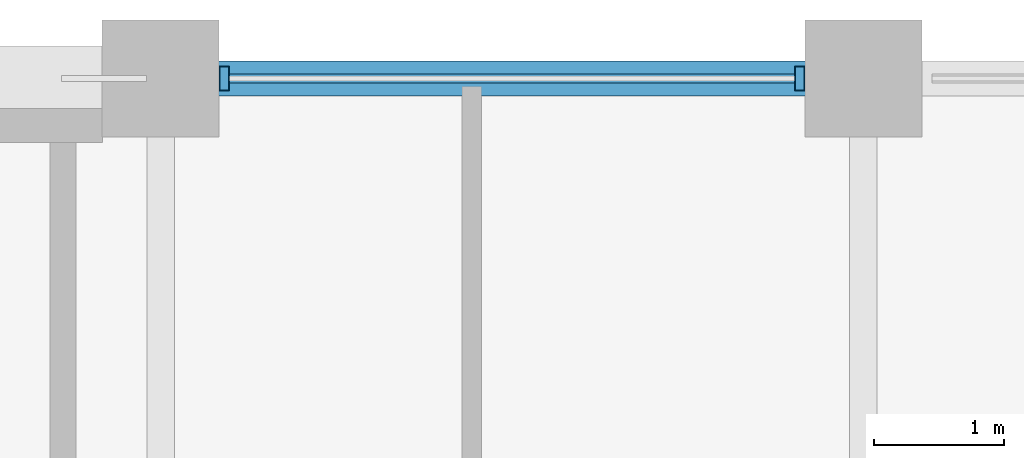
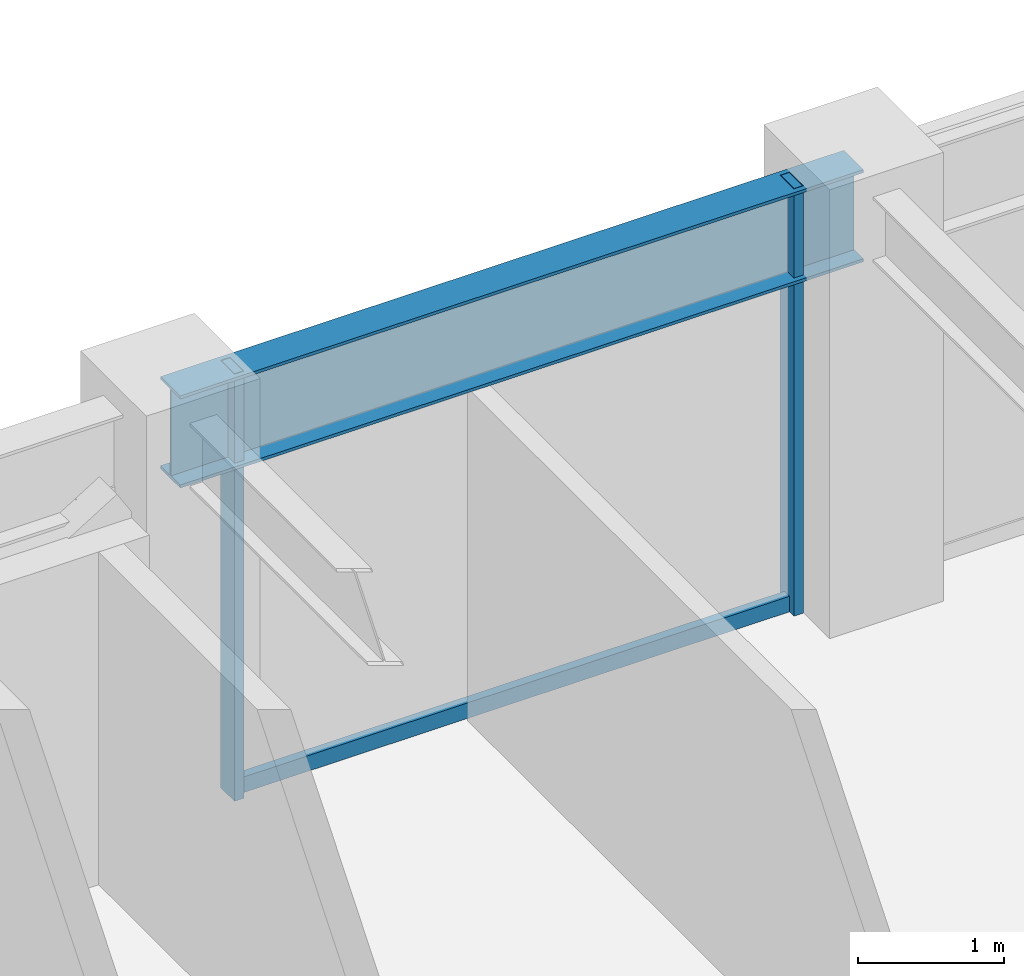
# One storey, part 23 of 32: 3 members, 1 beam, 1 element without a shape of its own.
"""IFC4 building model written with IfcOpenShell, lengths in metres."""

from ifc_helpers import new_model, si_unit, direction, frame, origin, origin_2d, place, context, subcontext, project, spatial, hollow_rectangle, i_section, extrude, material, layer, layer_set, material_profile, profile_set, type_object, element, aggregate, save


model = new_model("IFC4")

# Units and contexts
model_context = context("Model", 3, precision=1e-05, world=origin(), true_north=direction((0.0, 1.0)))
body_context = subcontext(model_context, "Body", "Model", "MODEL_VIEW")
ifc_project = project(units=[si_unit("LENGTHUNIT", "METRE"), si_unit("AREAUNIT", "SQUARE_METRE"), si_unit("VOLUMEUNIT", "CUBIC_METRE"), si_unit("PLANEANGLEUNIT", "RADIAN"), si_unit("MASSUNIT", "GRAM", prefix="KILO")], contexts=[model_context])

# Site, building, storey
site_placement = place(None, origin())
site = spatial("IfcSite", under=ifc_project, at=site_placement, CompositionType="ELEMENT")
building_placement = place(site_placement, origin())
building = spatial("IfcBuilding", under=site, at=building_placement, Name="Surkhivell Harbour Commons", CompositionType="ELEMENT")
storey_placement = place(building_placement, frame((0.0, 0.0, 197.25)))
storey = spatial("IfcBuildingStorey", under=building, at=storey_placement, Name="L51", CompositionType="ELEMENT", Elevation=197.25)

# Beam
ifc_material_1 = material(Name="Steel S355", Category="steel")
ifc_material_profile_1 = material_profile(ifc_material_1, i_section(OverallWidth=0.26806640625, OverallDepth=0.77001953125, WebThickness=0.015625, FlangeThickness=0.025390625, at=origin_2d()), Name="UB762x267x197")
ifc_profile_set_1 = profile_set([ifc_material_profile_1], Name="Steel S355")
beam_type = type_object("IfcBeamType", Name="BM-SPN-762", PredefinedType="SPANDREL", material=ifc_profile_set_1)
beam_placement = place(storey_placement, frame((5.39990234375, 25.89990234375, 3.18505859375), z_axis=(1.0, 0.0, 0.0), x_axis=(0.0, 1.0, 0.0)))
element("IfcBeam", 1, at=beam_placement, inside=storey, type_object=beam_type, Name="L51 Tube Spandrel (5.4,25.9)", PredefinedType="SPANDREL", context=body_context, shape_type="SweptSolid", body=[
    extrude(i_section(OverallWidth=0.26806640625, OverallDepth=0.77001953125, WebThickness=0.015625, FlangeThickness=0.025390625, at=origin_2d()), origin(), (0.0, 0.0, 1.0), 5.400146484375),
])

# Curtain wall, members
ifc_material_2 = material(Name="Anodised pale-metal aluminium and insulated glazing", Category="aluminium")
ifc_layer = layer(ifc_material_2, 0.18994140625)
ifc_layer_set = layer_set([ifc_layer], Name="Anodised pale-metal aluminium and insulated glazing")
curtain_wall_type = type_object("IfcCurtainWallType", Name="CW-SYS-Z3", PredefinedType="NOTDEFINED", material=ifc_layer_set)
curtain_wall_placement = place(storey_placement, origin())
curtain_wall = element("IfcCurtainWall", 2, at=curtain_wall_placement, inside=storey, type_object=curtain_wall_type, Name="L51 Curtain Wall CW-L51-E07S1", PredefinedType="NOTDEFINED")
ifc_material_3 = material(Name="Anodised pale-metal aluminium alloy 6063-T6", Category="aluminium")
ifc_material_profile_2 = material_profile(ifc_material_3, hollow_rectangle(XDim=0.074951171875, YDim=0.18994140625, WallThickness=0.00390625, at=origin_2d()), Name="ALU-MULL-75x190")
ifc_profile_set_2 = profile_set([ifc_material_profile_2], Name="Anodised pale-metal aluminium alloy 6063-T6")
member_type_1 = type_object("IfcMemberType", Name="CWM-190", PredefinedType="MULLION", material=ifc_profile_set_2)
member_1_placement = place(storey_placement, frame((10.310546875, 25.89990234375, 0.0), z_axis=(0.0, 0.0, 1.0), x_axis=(-1.0, 0.0, 0.0)))
member_1 = element("IfcMember", 3, at=member_1_placement, type_object=member_type_1, Name="CW-Z3 mullion 2", PredefinedType="MULLION", context=body_context, shape_type="SweptSolid", body=[
    extrude(hollow_rectangle(XDim=0.074951171875, YDim=0.18994140625, WallThickness=0.00390625, at=origin_2d()), origin(), (0.0, 0.0, 1.0), 3.570068359375),
])
member_2_placement = place(storey_placement, frame((5.889404296875, 25.89990234375, 0.0), z_axis=(0.0, 0.0, 1.0), x_axis=(-1.0, 0.0, 0.0)))
member_2 = element("IfcMember", 4, at=member_2_placement, type_object=member_type_1, Name="CW-Z3 mullion 3", PredefinedType="MULLION", context=body_context, shape_type="SweptSolid", body=[
    extrude(hollow_rectangle(XDim=0.074951171875, YDim=0.18994140625, WallThickness=0.00390625, at=origin_2d()), origin(), (0.0, 0.0, 1.0), 3.570068359375),
])
ifc_material_4 = material(Name="Champagne anodised aluminium alloy 6063-T6", Category="aluminium")
ifc_material_profile_3 = material_profile(ifc_material_4, hollow_rectangle(XDim=0.070068359375, YDim=0.1298828125, WallThickness=0.00341796875, at=origin_2d()), Name="ALU-TRAN-70x130")
ifc_profile_set_3 = profile_set([ifc_material_profile_3], Name="Champagne anodised aluminium alloy 6063-T6")
member_type_2 = type_object("IfcMemberType", Name="CWT-130", PredefinedType="USERDEFINED", material=ifc_profile_set_3)
member_3_placement = place(storey_placement, frame((10.27294921875, 25.89990234375, 0.06494140625), z_axis=(-1.0, 0.0, 0.0), x_axis=(0.0, -1.0, 0.0)))
member_3 = element("IfcMember", 5, at=member_3_placement, type_object=member_type_2, Name="CW-Z3 transom 2.1", ObjectType="TRANSOM", PredefinedType="USERDEFINED", context=body_context, shape_type="SweptSolid", body=[
    extrude(hollow_rectangle(XDim=0.070068359375, YDim=0.1298828125, WallThickness=0.00341796875, at=origin_2d()), origin(), (0.0, 0.0, 1.0), 4.345947265625),
])
aggregate(curtain_wall, [member_1, member_2, member_3])

save(model, "model.ifc")
